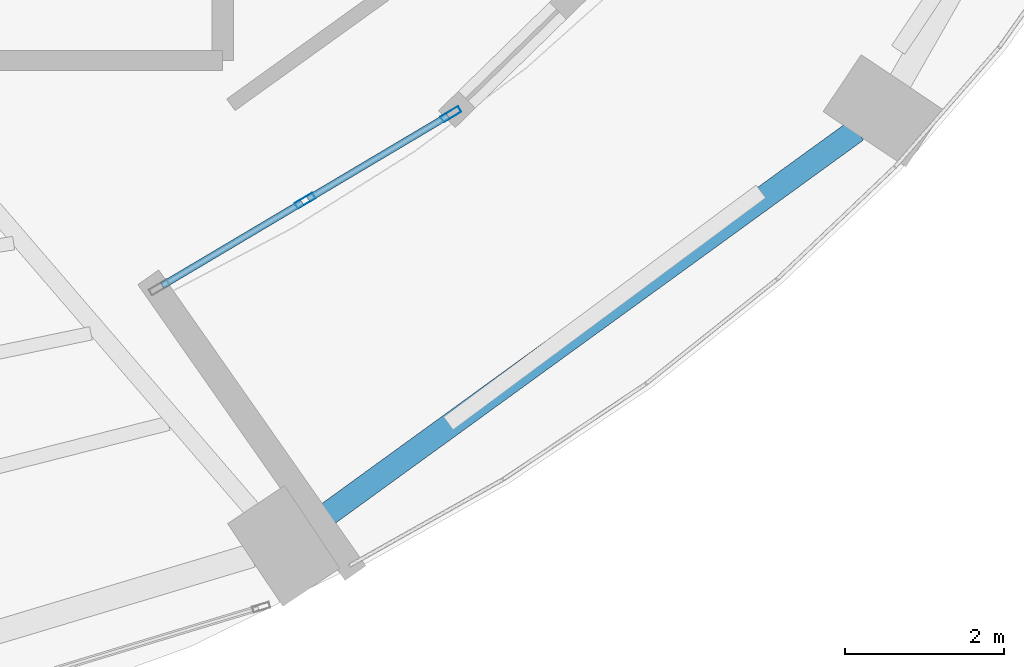
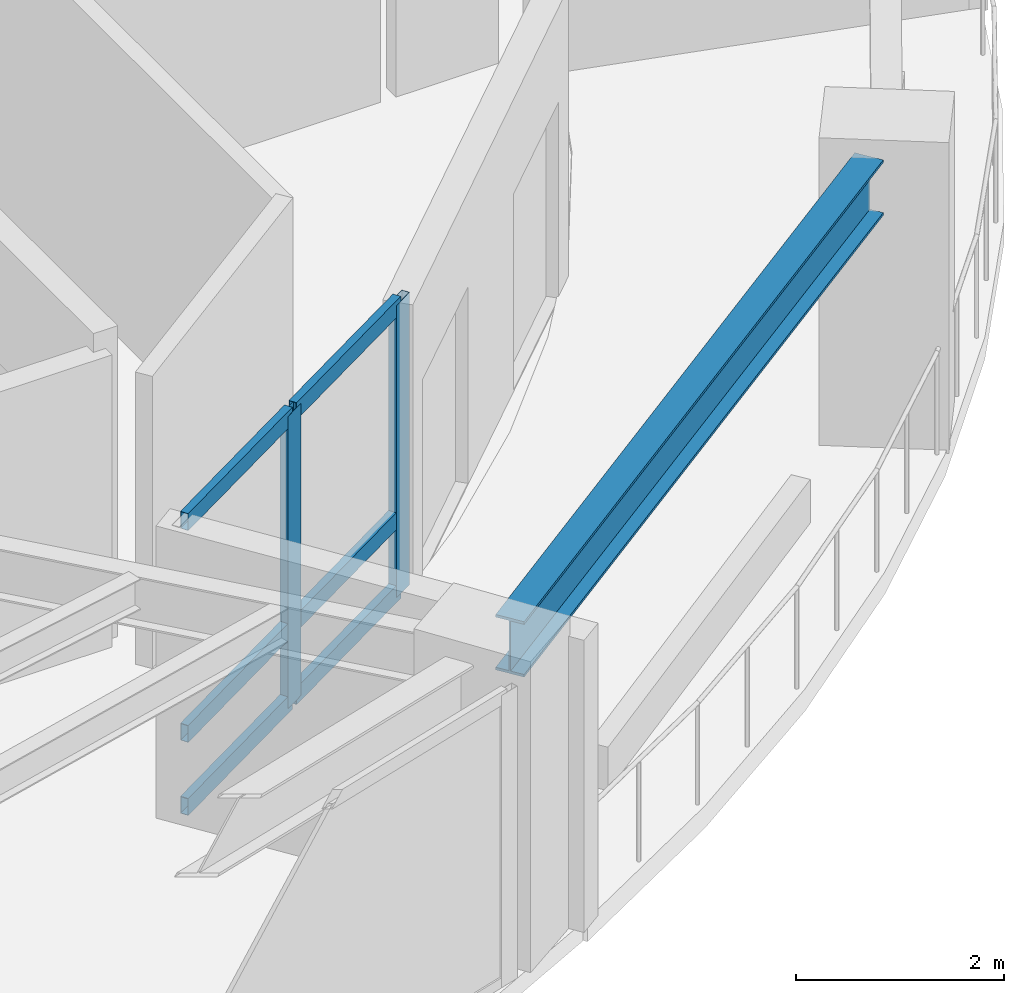
# One storey, part 10 of 24: 8 members, 1 beam, 1 element without a shape of its own.
"""IFC4 building model written with IfcOpenShell, lengths in metres."""

from ifc_helpers import new_model, si_unit, direction, frame, origin, origin_2d, place, context, subcontext, project, spatial, hollow_rectangle, i_section, extrude, material, layer, layer_set, material_profile, profile_set, type_object, element, aggregate, save


model = new_model("IFC4")

# Units and contexts
model_context = context("Model", 3, precision=1e-05, world=origin(), true_north=direction((0.0, 1.0)))
body_context = subcontext(model_context, "Body", "Model", "MODEL_VIEW")
ifc_project = project(units=[si_unit("LENGTHUNIT", "METRE"), si_unit("AREAUNIT", "SQUARE_METRE"), si_unit("VOLUMEUNIT", "CUBIC_METRE"), si_unit("PLANEANGLEUNIT", "RADIAN"), si_unit("MASSUNIT", "GRAM", prefix="KILO")], contexts=[model_context])

# Site, building, storey
site_placement = place(None, origin())
site = spatial("IfcSite", under=ifc_project, at=site_placement, CompositionType="ELEMENT")
building_placement = place(site_placement, origin())
building = spatial("IfcBuilding", under=site, at=building_placement, Name="Lazwardi Medical Tower", CompositionType="ELEMENT")
storey_placement = place(building_placement, frame((0.0, 0.0, 58.031982421875)))
storey = spatial("IfcBuildingStorey", under=building, at=storey_placement, Name="L14", CompositionType="ELEMENT", Elevation=58.031982421875)

# Beam
ifc_material_1 = material(Name="Steel S355", Category="steel")
ifc_material_profile_1 = material_profile(ifc_material_1, i_section(OverallWidth=0.300048828125, OverallDepth=0.64990234375, WebThickness=0.01611328125, FlangeThickness=0.031005859375, at=origin_2d()), Name="HEB 650")
ifc_profile_set_1 = profile_set([ifc_material_profile_1], Name="Steel S355")
beam_type = type_object("IfcBeamType", Name="BM-RB-Z1", PredefinedType="BEAM", material=ifc_profile_set_1)
beam_placement = place(storey_placement, frame((51.52099609375, 14.16259765625, 3.10302734375), z_axis=(0.80939338516, 0.5872668457, 0.0), x_axis=(-0.5872668457, 0.80939338516, 0.0)))
element("IfcBeam", 1, at=beam_placement, inside=storey, type_object=beam_type, Name="Ring beam RB-02 B02 L14", PredefinedType="BEAM", context=body_context, shape_type="SweptSolid", body=[
    extrude(i_section(OverallWidth=0.300048828125, OverallDepth=0.64990234375, WebThickness=0.01611328125, FlangeThickness=0.031005859375, at=origin_2d()), origin(), (0.0, 0.0, 1.0), 8.47412109375),
])

# Curtain wall, members
ifc_material_2 = material(Name="Anodised bronze aluminium and solar control glazing", Category="aluminium")
ifc_layer = layer(ifc_material_2, 0.239990234375)
ifc_layer_set = layer_set([ifc_layer], Name="Anodised bronze aluminium and solar control glazing")
curtain_wall_type = type_object("IfcCurtainWallType", Name="CW-SYS-05", PredefinedType="NOTDEFINED", material=ifc_layer_set)
curtain_wall_placement = place(storey_placement, origin())
curtain_wall = element("IfcCurtainWall", 2, at=curtain_wall_placement, inside=storey, type_object=curtain_wall_type, Name="L14 Unitised bronze curtain wall CW-05", PredefinedType="NOTDEFINED")
ifc_material_3 = material(Name="Anodised bronze aluminium", Category="aluminium")
ifc_material_profile_2 = material_profile(ifc_material_3, hollow_rectangle(XDim=0.0849609375, YDim=0.260009765625, WallThickness=0.0048828125, at=origin_2d()), Name="ALU-MULLION 260x85x5")
ifc_profile_set_2 = profile_set([ifc_material_profile_2], Name="Anodised bronze aluminium")
member_type_1 = type_object("IfcMemberType", Name="CW-MUL-02", PredefinedType="MULLION", material=ifc_profile_set_2)
member_1_placement = place(storey_placement, frame((51.450439453125, 18.255615234375, 0.0), z_axis=(0.0, 0.0, 1.0), x_axis=(-0.510680174917, 0.859770759532, 0.0)))
member_1 = element("IfcMember", 3, at=member_1_placement, type_object=member_type_1, Name="CW-05 mullion 2", PredefinedType="MULLION", context=body_context, shape_type="SweptSolid", body=[
    extrude(hollow_rectangle(XDim=0.0849609375, YDim=0.260009765625, WallThickness=0.0048828125, at=origin_2d()), origin(), (0.0, 0.0, 1.0), 3.427978515625),
])
member_2_placement = place(storey_placement, frame((53.281982421875, 19.343505859375, 0.0), z_axis=(0.0, 0.0, 1.0), x_axis=(-0.510680174917, 0.859770759532, 0.0)))
member_2 = element("IfcMember", 4, at=member_2_placement, type_object=member_type_1, Name="CW-05 mullion 3", PredefinedType="MULLION", context=body_context, shape_type="SweptSolid", body=[
    extrude(hollow_rectangle(XDim=0.0849609375, YDim=0.260009765625, WallThickness=0.0048828125, at=origin_2d()), origin(), (0.0, 0.0, 1.0), 3.427978515625),
])
ifc_material_profile_3 = material_profile(ifc_material_3, hollow_rectangle(XDim=0.0849609375, YDim=0.199951171875, WallThickness=0.00439453125, at=origin_2d()), Name="ALU-TRANSOM 200x85x4.5")
ifc_profile_set_3 = profile_set([ifc_material_profile_3], Name="Anodised bronze aluminium")
member_type_2 = type_object("IfcMemberType", Name="CW-TRN-02", PredefinedType="USERDEFINED", material=ifc_profile_set_3)
member_3_placement = place(storey_placement, frame((49.6552734375, 17.189453125, 0.04248046875), z_axis=(0.859790874329, 0.510646308535, 0.0), x_axis=(-0.510646308535, 0.859790874329, 0.0)))
member_3 = element("IfcMember", 5, at=member_3_placement, type_object=member_type_2, Name="CW-05 transom 1.1", ObjectType="TRANSOM", PredefinedType="USERDEFINED", context=body_context, shape_type="SweptSolid", body=[
    extrude(hollow_rectangle(XDim=0.0849609375, YDim=0.199951171875, WallThickness=0.00439453125, at=origin_2d()), origin(), (0.0, 0.0, 1.0), 2.04541015625),
])
member_4_placement = place(storey_placement, frame((49.6552734375, 17.189453125, 0.89990234375), z_axis=(0.859790874329, 0.510646308535, 0.0), x_axis=(-0.510646308535, 0.859790874329, 0.0)))
member_4 = element("IfcMember", 6, at=member_4_placement, type_object=member_type_2, Name="CW-05 transom 1.2", ObjectType="TRANSOM", PredefinedType="USERDEFINED", context=body_context, shape_type="SweptSolid", body=[
    extrude(hollow_rectangle(XDim=0.0849609375, YDim=0.199951171875, WallThickness=0.00439453125, at=origin_2d()), origin(), (0.0, 0.0, 1.0), 2.04541015625),
])
member_5_placement = place(storey_placement, frame((49.6552734375, 17.189453125, 3.385498046875), z_axis=(0.859790874329, 0.510646308535, 0.0), x_axis=(-0.510646308535, 0.859790874329, 0.0)))
member_5 = element("IfcMember", 7, at=member_5_placement, type_object=member_type_2, Name="CW-05 transom 1.3", ObjectType="TRANSOM", PredefinedType="USERDEFINED", context=body_context, shape_type="SweptSolid", body=[
    extrude(hollow_rectangle(XDim=0.0849609375, YDim=0.199951171875, WallThickness=0.00439453125, at=origin_2d()), origin(), (0.0, 0.0, 1.0), 2.04541015625),
])
member_6_placement = place(storey_placement, frame((51.487060546875, 18.27734375, 0.04248046875), z_axis=(0.859759743788, 0.510698720345, 0.0), x_axis=(-0.510698720345, 0.859759743788, 0.0)))
member_6 = element("IfcMember", 8, at=member_6_placement, type_object=member_type_2, Name="CW-05 transom 2.1", ObjectType="TRANSOM", PredefinedType="USERDEFINED", context=body_context, shape_type="SweptSolid", body=[
    extrude(hollow_rectangle(XDim=0.0849609375, YDim=0.199951171875, WallThickness=0.00439453125, at=origin_2d()), origin(), (0.0, 0.0, 1.0), 2.045166015625),
])
member_7_placement = place(storey_placement, frame((51.487060546875, 18.27734375, 0.89990234375), z_axis=(0.859759743788, 0.510698720345, 0.0), x_axis=(-0.510698720345, 0.859759743788, 0.0)))
member_7 = element("IfcMember", 9, at=member_7_placement, type_object=member_type_2, Name="CW-05 transom 2.2", ObjectType="TRANSOM", PredefinedType="USERDEFINED", context=body_context, shape_type="SweptSolid", body=[
    extrude(hollow_rectangle(XDim=0.0849609375, YDim=0.199951171875, WallThickness=0.00439453125, at=origin_2d()), origin(), (0.0, 0.0, 1.0), 2.045166015625),
])
member_8_placement = place(storey_placement, frame((51.487060546875, 18.27734375, 3.385498046875), z_axis=(0.859759743788, 0.510698720345, 0.0), x_axis=(-0.510698720345, 0.859759743788, 0.0)))
member_8 = element("IfcMember", 10, at=member_8_placement, type_object=member_type_2, Name="CW-05 transom 2.3", ObjectType="TRANSOM", PredefinedType="USERDEFINED", context=body_context, shape_type="SweptSolid", body=[
    extrude(hollow_rectangle(XDim=0.0849609375, YDim=0.199951171875, WallThickness=0.00439453125, at=origin_2d()), origin(), (0.0, 0.0, 1.0), 2.045166015625),
])
aggregate(curtain_wall, [member_1, member_2, member_3, member_4, member_5, member_6, member_7, member_8])

save(model, "model.ifc")
